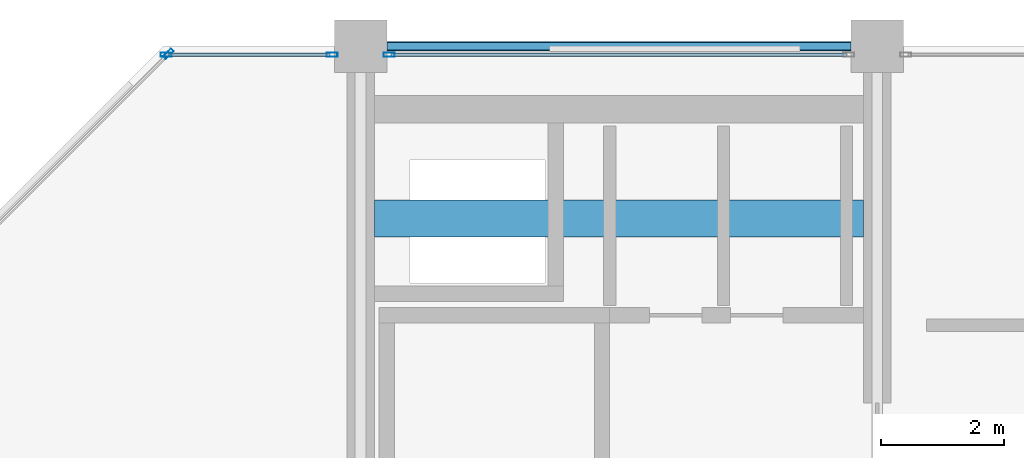
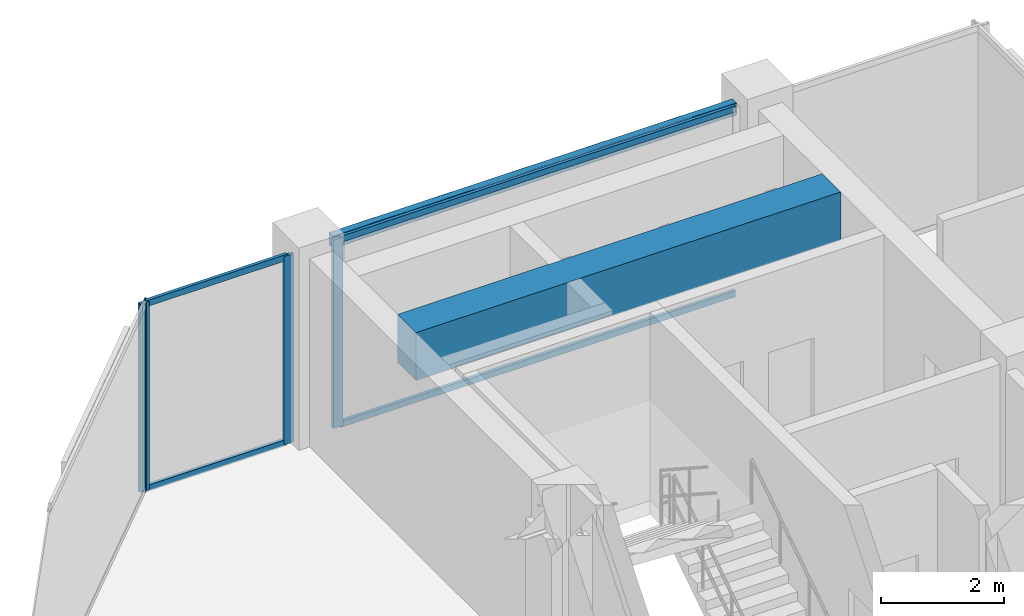
# One storey, part 17 of 24: 8 members, 2 beams, 3 elements without a shape of their own.
"""IFC4 building model written with IfcOpenShell, lengths in metres."""

from ifc_helpers import new_model, si_unit, direction, frame, origin, origin_2d, place, context, subcontext, project, spatial, rectangle, hollow_rectangle, extrude, material, layer, layer_set, material_profile, profile_set, type_object, element, aggregate, save


model = new_model("IFC4")

# Units and contexts
model_context = context("Model", 3, precision=1e-05, world=origin(), true_north=direction((0.0, 1.0)))
body_context = subcontext(model_context, "Body", "Model", "MODEL_VIEW")
ifc_project = project(units=[si_unit("LENGTHUNIT", "METRE"), si_unit("AREAUNIT", "SQUARE_METRE"), si_unit("VOLUMEUNIT", "CUBIC_METRE"), si_unit("PLANEANGLEUNIT", "RADIAN"), si_unit("MASSUNIT", "GRAM", prefix="KILO")], contexts=[model_context])

# Site, building, storey
site_placement = place(None, origin())
site = spatial("IfcSite", under=ifc_project, at=site_placement, CompositionType="ELEMENT")
building_placement = place(site_placement, origin())
building = spatial("IfcBuilding", under=site, at=building_placement, Name="Nerrivon Quay Data Exchange", CompositionType="ELEMENT")
storey_placement = place(building_placement, frame((0.0, 0.0, 298.199951171875)))
storey = spatial("IfcBuildingStorey", under=building, at=storey_placement, Name="L71", CompositionType="ELEMENT", Elevation=298.199951171875)

# Beams
ifc_material_1 = material(Name="Concrete N50 (50 MPa)", Category="concrete")
ifc_material_profile_1 = material_profile(ifc_material_1, rectangle(XDim=0.60009765625, YDim=0.949951171875, at=origin_2d()), Name="RC-CB-600x950")
ifc_profile_set_1 = profile_set([ifc_material_profile_1], Name="Concrete N50 (50 MPa)")
beam_type_1 = type_object("IfcBeamType", Name="BM-CB2-600x950", PredefinedType="LINTEL", material=ifc_profile_set_1)
beam_1_placement = place(storey_placement, frame((8.625, 39.199951171875, 3.25), z_axis=(1.0, 0.0, 0.0), x_axis=(0.0, 1.0, 0.0)))
element("IfcBeam", 1, at=beam_1_placement, inside=storey, type_object=beam_type_1, Name="L71 West Core Coupling Beam", PredefinedType="LINTEL", context=body_context, shape_type="SweptSolid", body=[
    extrude(rectangle(XDim=0.60009765625, YDim=0.949951171875, at=origin_2d()), origin(), (0.0, 0.0, 1.0), 7.949951171875),
])
ifc_material_2 = material(Name="Steel Grade C350L0 (350 MPa)", Category="steel")
ifc_material_profile_2 = material_profile(ifc_material_2, hollow_rectangle(XDim=0.14990234375, YDim=0.25, WallThickness=0.009033203125, InnerFilletRadius=0.013427734375, OuterFilletRadius=0.0224609375, at=origin_2d()), Name="250x150x9.0RHS")
ifc_profile_set_2 = profile_set([ifc_material_profile_2], Name="Steel Grade C350L0 (350 MPa)")
beam_type_2 = type_object("IfcBeamType", Name="BM-SP4-250x150RHS", PredefinedType="SPANDREL", material=ifc_profile_set_2)
beam_2_placement = place(storey_placement, frame((8.824951171875, 42.0, 3.60009765625), z_axis=(1.0, 0.0, 0.0), x_axis=(0.0, 1.0, 0.0)))
element("IfcBeam", 2, at=beam_2_placement, inside=storey, type_object=beam_type_2, Name="L71 EW Girder Y=42.0 (8.4..16.8)", PredefinedType="SPANDREL", context=body_context, shape_type="SweptSolid", body=[
    extrude(hollow_rectangle(XDim=0.14990234375, YDim=0.25, WallThickness=0.009033203125, InnerFilletRadius=0.013427734375, OuterFilletRadius=0.0224609375, at=origin_2d()), origin(), (0.0, 0.0, 1.0), 7.550048828125),
])

# Curtain wall, member
ifc_material_3 = material(Name="Anodised aluminium 6063-T6", Category="aluminium")
ifc_layer = layer(ifc_material_3, 0.195068359375)
ifc_layer_set = layer_set([ifc_layer], Name="Anodised aluminium 6063-T6")
curtain_wall_type = type_object("IfcCurtainWallType", Name="CW-SYS-06", PredefinedType="NOTDEFINED", material=ifc_layer_set)
curtain_wall_1_placement = place(storey_placement, origin())
curtain_wall_1 = element("IfcCurtainWall", 3, at=curtain_wall_1_placement, inside=storey, type_object=curtain_wall_type, Name="L71 Unitised Curtain Wall 13", PredefinedType="NOTDEFINED")
ifc_material_profile_3 = material_profile(ifc_material_3, hollow_rectangle(XDim=0.06494140625, YDim=0.179931640625, WallThickness=0.00341796875, at=origin_2d()), Name="ALU-MULL-180x65")
ifc_profile_set_3 = profile_set([ifc_material_profile_3], Name="Anodised aluminium 6063-T6")
member_type_1 = type_object("IfcMemberType", Name="CWM-180x65", PredefinedType="MULLION", material=ifc_profile_set_3)
member_1_placement = place(storey_placement, frame((5.2724609375, 41.87451171875, 0.0), z_axis=(0.0, 0.0, 1.0), x_axis=(-0.707106781187, 0.707106781187, 0.0)))
member_1 = element("IfcMember", 4, at=member_1_placement, type_object=member_type_1, Name="CW06 mullion 2", PredefinedType="MULLION", context=body_context, shape_type="SweptSolid", body=[
    extrude(hollow_rectangle(XDim=0.06494140625, YDim=0.179931640625, WallThickness=0.00341796875, at=origin_2d()), origin(), (0.0, 0.0, 1.0), 3.72509765625),
])
aggregate(curtain_wall_1, [member_1])

# Curtain wall, members
curtain_wall_2_placement = place(storey_placement, origin())
curtain_wall_2 = element("IfcCurtainWall", 5, at=curtain_wall_2_placement, inside=storey, type_object=curtain_wall_type, Name="L71 Unitised Curtain Wall 14", PredefinedType="NOTDEFINED")
member_2_placement = place(storey_placement, frame((5.237548828125, 41.860107421875, 0.0), z_axis=(0.0, 0.0, 1.0), x_axis=(0.0, 1.0, 0.0)))
member_2 = element("IfcMember", 6, at=member_2_placement, type_object=member_type_1, Name="CW06 mullion 1", PredefinedType="MULLION", context=body_context, shape_type="SweptSolid", body=[
    extrude(hollow_rectangle(XDim=0.06494140625, YDim=0.179931640625, WallThickness=0.00341796875, at=origin_2d()), origin(), (0.0, 0.0, 1.0), 3.72509765625),
])
member_3_placement = place(storey_placement, frame((7.9375, 41.860107421875, 0.0), z_axis=(0.0, 0.0, 1.0), x_axis=(0.0, 1.0, 0.0)))
member_3 = element("IfcMember", 7, at=member_3_placement, type_object=member_type_1, Name="CW06 mullion 2", PredefinedType="MULLION", context=body_context, shape_type="SweptSolid", body=[
    extrude(hollow_rectangle(XDim=0.06494140625, YDim=0.179931640625, WallThickness=0.00341796875, at=origin_2d()), origin(), (0.0, 0.0, 1.0), 3.72509765625),
])

# Curtain wall, member
curtain_wall_3_placement = place(storey_placement, origin())
curtain_wall_3 = element("IfcCurtainWall", 8, at=curtain_wall_3_placement, inside=storey, type_object=curtain_wall_type, Name="L71 Unitised Curtain Wall 15", PredefinedType="NOTDEFINED")
member_4_placement = place(storey_placement, frame((8.862548828125, 41.860107421875, 0.0), z_axis=(0.0, 0.0, 1.0), x_axis=(0.0, 1.0, 0.0)))
member_4 = element("IfcMember", 9, at=member_4_placement, type_object=member_type_1, Name="CW06 mullion 1", PredefinedType="MULLION", context=body_context, shape_type="SweptSolid", body=[
    extrude(hollow_rectangle(XDim=0.06494140625, YDim=0.179931640625, WallThickness=0.00341796875, at=origin_2d()), origin(), (0.0, 0.0, 1.0), 3.72509765625),
])

# Member
ifc_material_profile_4 = material_profile(ifc_material_3, hollow_rectangle(XDim=0.06005859375, YDim=0.1201171875, WallThickness=0.003173828125, at=origin_2d()), Name="ALU-TRAN-120x60")
ifc_profile_set_4 = profile_set([ifc_material_profile_4], Name="Anodised aluminium 6063-T6")
member_type_2 = type_object("IfcMemberType", Name="CWT-120x60", PredefinedType="USERDEFINED", material=ifc_profile_set_4)
member_5_placement = place(storey_placement, frame((5.27490234375, 41.860107421875, 0.032470703125), z_axis=(1.0, 0.0, 0.0), x_axis=(0.0, 1.0, 0.0)))
member_5 = element("IfcMember", 10, at=member_5_placement, type_object=member_type_2, Name="CW06 transom 1.1", ObjectType="TRANSOM", PredefinedType="USERDEFINED", context=body_context, shape_type="SweptSolid", body=[
    extrude(hollow_rectangle(XDim=0.06005859375, YDim=0.1201171875, WallThickness=0.003173828125, at=origin_2d()), origin(), (0.0, 0.0, 1.0), 2.625),
])

member_6_placement = place(storey_placement, frame((5.27490234375, 41.860107421875, 3.692626953125), z_axis=(1.0, 0.0, 0.0), x_axis=(0.0, 1.0, 0.0)))
member_6 = element("IfcMember", 11, at=member_6_placement, type_object=member_type_2, Name="CW06 transom 1.2", ObjectType="TRANSOM", PredefinedType="USERDEFINED", context=body_context, shape_type="SweptSolid", body=[
    extrude(hollow_rectangle(XDim=0.06005859375, YDim=0.1201171875, WallThickness=0.003173828125, at=origin_2d()), origin(), (0.0, 0.0, 1.0), 2.625),
])

aggregate(curtain_wall_2, [member_2, member_3, member_5, member_6])

member_7_placement = place(storey_placement, frame((8.89990234375, 41.860107421875, 0.032470703125), z_axis=(1.0, 0.0, 0.0), x_axis=(0.0, 1.0, 0.0)))
member_7 = element("IfcMember", 12, at=member_7_placement, type_object=member_type_2, Name="CW06 transom 1.1", ObjectType="TRANSOM", PredefinedType="USERDEFINED", context=body_context, shape_type="SweptSolid", body=[
    extrude(hollow_rectangle(XDim=0.06005859375, YDim=0.1201171875, WallThickness=0.003173828125, at=origin_2d()), origin(), (0.0, 0.0, 1.0), 7.400146484375),
])

member_8_placement = place(storey_placement, frame((8.89990234375, 41.860107421875, 3.692626953125), z_axis=(1.0, 0.0, 0.0), x_axis=(0.0, 1.0, 0.0)))
member_8 = element("IfcMember", 13, at=member_8_placement, type_object=member_type_2, Name="CW06 transom 1.2", ObjectType="TRANSOM", PredefinedType="USERDEFINED", context=body_context, shape_type="SweptSolid", body=[
    extrude(hollow_rectangle(XDim=0.06005859375, YDim=0.1201171875, WallThickness=0.003173828125, at=origin_2d()), origin(), (0.0, 0.0, 1.0), 7.400146484375),
])

aggregate(curtain_wall_3, [member_4, member_7, member_8])

save(model, "model.ifc")
